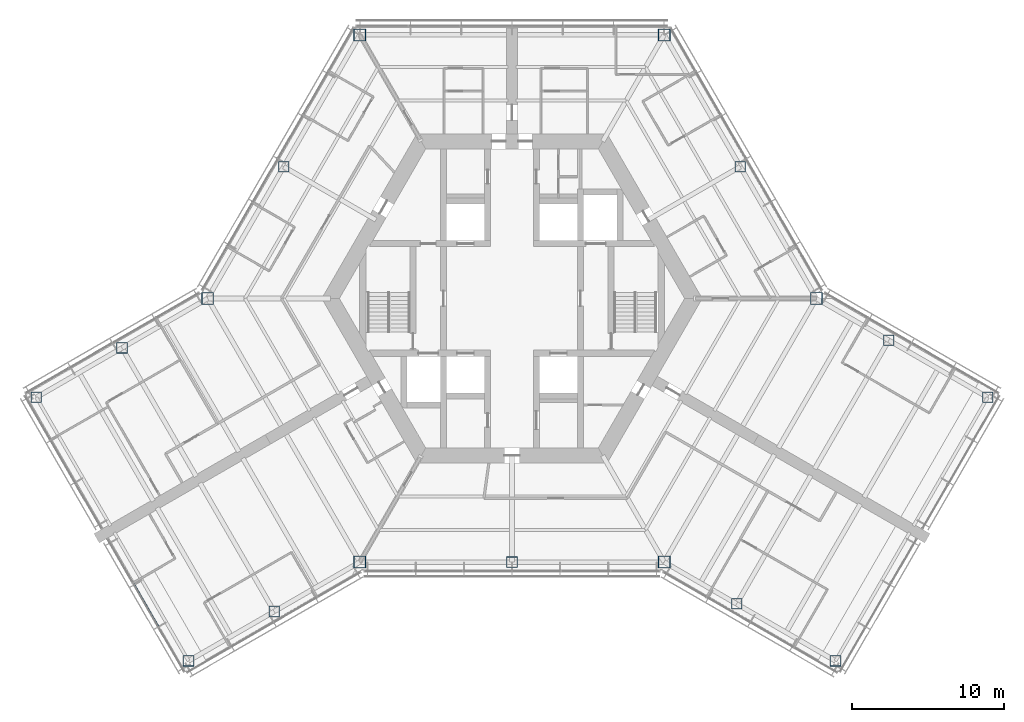
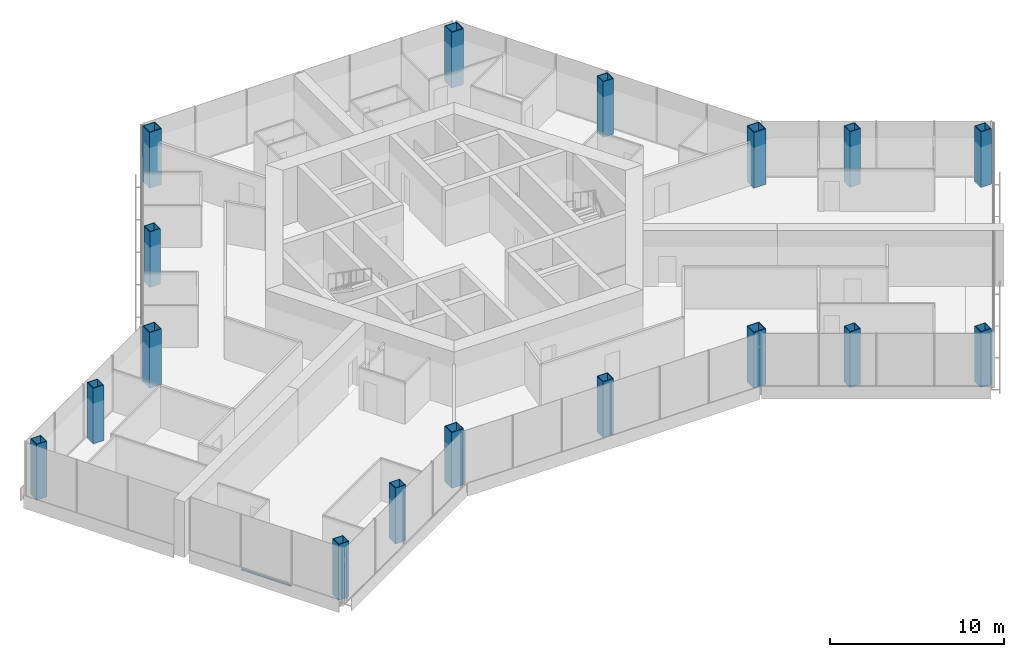
# One storey, part 1 of 18: 17 columns, 1 member, 1 element without a shape of its own.
"""IFC4 building model written with IfcOpenShell, lengths in metres."""

import ifcopenshell
import ifcopenshell.guid

model = None  # the IFC model being written
_history = None  # IfcOwnerHistory: only IFC2X3 demands one
_inside = {}  # id of a spatial element -> (the spatial element, [elements in it])
_under = {}  # id of a project, library or spatial element -> (it, [spatial elements below it])
_declared = {}  # id of a project -> (the project, [libraries it declares])
_typed = {}  # id of a type object -> (the type object, [elements of that type])
_made_of = {}  # id of a material, layer set ... -> (it, [elements and type objects made of it])


def new_model(schema):
    """Start an empty IFC model of exactly this schema.

    Asked for "IFC4X3", IfcOpenShell would pick the latest addendum, in which some entities
    have other attributes; the version numbers below select the first issue.
    IFC2X3 requires an IfcOwnerHistory on every rooted entity: one is made here for all.
    """
    global model, _history
    if schema == "IFC4X3":
        model = ifcopenshell.file(schema_version=(4, 3, 0, 0))
    else:
        model = ifcopenshell.file(schema=schema)
    _inside.clear()
    _under.clear()
    _declared.clear()
    _typed.clear()
    _made_of.clear()
    _history = None
    if model.schema == "IFC2X3":
        org = make("IfcOrganization", Name="unknown")
        user = make(
            "IfcPersonAndOrganization",
            ThePerson=make("IfcPerson", FamilyName="unknown"),
            TheOrganization=org,
        )
        app = make(
            "IfcApplication",
            ApplicationDeveloper=org,
            Version="unknown",
            ApplicationFullName="unknown",
            ApplicationIdentifier="unknown",
        )
        _history = make(
            "IfcOwnerHistory",
            OwningUser=user,
            OwningApplication=app,
            ChangeAction="ADDED",
            CreationDate=0,
        )
    return model


def make(cls, **values):
    """One entity of the class cls with the attributes given. An attribute that is None is left unset."""
    return model.create_entity(
        cls, **{name: value for name, value in values.items() if value is not None}
    )


def rooted(cls, **values):
    """An entity with a GlobalId (a new one), such as an element, a storey or a relation."""
    return make(cls, GlobalId=ifcopenshell.guid.new(), OwnerHistory=_history, **values)


def si_unit(unit_type, name, prefix=None):
    """IfcSIUnit, for example si_unit("LENGTHUNIT", "METRE", prefix="MILLI")."""
    return make("IfcSIUnit", UnitType=unit_type, Prefix=prefix, Name=name)


def assignment(units):
    """IfcUnitAssignment: the units of a project."""
    return None if units is None else make("IfcUnitAssignment", Units=units)


def point(xyz):
    """IfcCartesianPoint."""
    return None if xyz is None else make("IfcCartesianPoint", Coordinates=xyz)


def direction(xyz):
    """IfcDirection."""
    return None if xyz is None else make("IfcDirection", DirectionRatios=xyz)


def frame(location, z_axis=None, x_axis=None):
    """IfcAxis2Placement3D, a coordinate frame: its origin and axes. An axis left out is left unset."""
    return make(
        "IfcAxis2Placement3D",
        Location=point(location),
        Axis=direction(z_axis),
        RefDirection=direction(x_axis),
    )


def frame_2d(location, x_axis=None):
    """IfcAxis2Placement2D, a coordinate frame in the plane: its origin and x axis."""
    return make(
        "IfcAxis2Placement2D", Location=point(location), RefDirection=direction(x_axis)
    )


def origin():
    """The frame at (0, 0, 0) with its axes left unset."""
    return frame((0.0, 0.0, 0.0))


def origin_2d():
    """The frame at (0, 0) in the plane with its x axis left unset."""
    return frame_2d((0.0, 0.0))


def place(relative_to, where):
    """IfcLocalPlacement: puts the frame where relative to a parent placement (None: the world)."""
    return make(
        "IfcLocalPlacement", PlacementRelTo=relative_to, RelativePlacement=where
    )


def context(
    kind, dimensions, precision=None, world=None, true_north=None, identifier=None
):
    """IfcGeometricRepresentationContext, for example the 3D "Model" context."""
    return make(
        "IfcGeometricRepresentationContext",
        ContextIdentifier=identifier,
        ContextType=kind,
        CoordinateSpaceDimension=dimensions,
        Precision=precision,
        WorldCoordinateSystem=world,
        TrueNorth=true_north,
    )


def subcontext(parent, identifier, kind, view, scale=None):
    """IfcGeometricRepresentationSubContext, for example "Body" below "Model"."""
    return make(
        "IfcGeometricRepresentationSubContext",
        ContextIdentifier=identifier,
        ContextType=kind,
        ParentContext=parent,
        TargetScale=scale,
        TargetView=view,
    )


def project(units=None, contexts=None):
    """IfcProject with its units and contexts."""
    return rooted(
        "IfcProject",
        Name="project",
        RepresentationContexts=contexts,
        UnitsInContext=assignment(units),
    )


def spatial(cls, under=None, at=None, **own):
    """A site, building, storey or space (cls), placed at a placement, below another one or the project."""
    s = rooted(cls, ObjectPlacement=at, **own)
    if under is not None:
        _under.setdefault(under.id(), (under, []))[1].append(s)
    return s


def profile(cls, at=None, kind="AREA", **sizes):
    """A parametric profile (cls). Its sizes go by their IFC names, for example OverallWidth=200.0."""
    return make(cls, ProfileType=kind, Position=at, **sizes)


def rectangle(**sizes):
    """IfcRectangleProfileDef."""
    return profile("IfcRectangleProfileDef", **sizes)


def hollow_rectangle(**sizes):
    """IfcRectangleHollowProfileDef."""
    return profile("IfcRectangleHollowProfileDef", **sizes)


def extrude(swept, where, along, depth):
    """IfcExtrudedAreaSolid: the profile swept, set in the frame where, extruded along a direction by depth."""
    return make(
        "IfcExtrudedAreaSolid",
        SweptArea=swept,
        Position=where,
        ExtrudedDirection=direction(along),
        Depth=depth,
    )


def shape(context_of_items, identifier, shape_type, items):
    """IfcShapeRepresentation: the items that make up one representation, for example the "Body"."""
    return make(
        "IfcShapeRepresentation",
        ContextOfItems=context_of_items,
        RepresentationIdentifier=identifier,
        RepresentationType=shape_type,
        Items=items,
    )


def material(Name=None, Category=None):
    """IfcMaterial."""
    return make("IfcMaterial", Name=Name, Category=Category)


def material_profile(
    of_material, cross_section, Name=None, Category=None, Priority=None
):
    """IfcMaterialProfile: a cross section and its material."""
    return make(
        "IfcMaterialProfile",
        Name=Name,
        Material=of_material,
        Profile=cross_section,
        Priority=Priority,
        Category=Category,
    )


def profile_set(profiles, Name=None, composite=None):
    """IfcMaterialProfileSet."""
    return make(
        "IfcMaterialProfileSet",
        Name=Name,
        MaterialProfiles=profiles,
        CompositeProfile=composite,
    )


def made_of(thing, what):
    """Note that an element or type object is made of a material, layer set ...; save() writes the relation."""
    if what is not None:
        _made_of.setdefault(what.id(), (what, []))[1].append(thing)
    return thing


def type_object(cls, material=None, **own):
    """A type object (cls), such as IfcWallType, which elements share."""
    return made_of(rooted(cls, **own), material)


def element(
    cls,
    number,
    at=None,
    inside=None,
    cuts=None,
    type_object=None,
    material=None,
    context=None,
    identifier="Body",
    shape_type=None,
    held_by="IfcProductDefinitionShape",
    body=None,
    shapes=None,
    **own,
):
    """One element of the class cls, such as IfcWall. Its Tag is "e" and its number.

    at: its placement. inside: the storey or other place that contains it. cuts: it is an
    opening in that element (IfcRelVoidsElement). A single representation is given by context,
    identifier, shape_type and body (its items); several are given by shapes. held_by: the class
    of the entity that holds the representations. save() writes the other relations.
    """
    e = rooted(cls, Tag="e%d" % number, ObjectPlacement=at, **own)
    if body is not None:
        shapes = [shape(context, identifier, shape_type, body)]
    if shapes is not None:
        e.Representation = make(held_by, Representations=shapes)
    if inside is not None:
        _inside.setdefault(inside.id(), (inside, []))[1].append(e)
    if cuts is not None:
        rooted(
            "IfcRelVoidsElement", RelatingBuildingElement=cuts, RelatedOpeningElement=e
        )
    if type_object is not None:
        _typed.setdefault(type_object.id(), (type_object, []))[1].append(e)
    return made_of(e, material)


def aggregate(whole, parts):
    """IfcRelAggregates: a whole, such as a stair, and the parts it consists of."""
    return rooted("IfcRelAggregates", RelatingObject=whole, RelatedObjects=parts)


def save(model, path):
    """Write the relations noted so far, then the file.

    IfcRelAggregates (storeys below a building ...), IfcRelContainedInSpatialStructure (elements
    in a storey), IfcRelDefinesByType, IfcRelAssociatesMaterial and IfcRelDeclares: one each for
    every whole, place, type object, material and project.
    """
    for whole, parts in _under.values():
        aggregate(whole, parts)
    for where, things in _inside.values():
        rooted(
            "IfcRelContainedInSpatialStructure",
            RelatedElements=things,
            RelatingStructure=where,
        )
    for kind, things in _typed.values():
        rooted("IfcRelDefinesByType", RelatedObjects=things, RelatingType=kind)
    for what, things in _made_of.values():
        rooted("IfcRelAssociatesMaterial", RelatedObjects=things, RelatingMaterial=what)
    for by, libraries in _declared.values():
        rooted("IfcRelDeclares", RelatingContext=by, RelatedDefinitions=libraries)
    model.write(path)


model = new_model("IFC4")

# Units and contexts
model_context = context("Model", 3, precision=1e-05, world=origin(), true_north=direction((0.0, 1.0)))
body_context = subcontext(model_context, "Body", "Model", "MODEL_VIEW")
ifc_project = project(units=[si_unit("LENGTHUNIT", "METRE"), si_unit("AREAUNIT", "SQUARE_METRE"), si_unit("VOLUMEUNIT", "CUBIC_METRE"), si_unit("PLANEANGLEUNIT", "RADIAN"), si_unit("MASSUNIT", "GRAM", prefix="KILO")], contexts=[model_context])

# Site, building, storey
site_placement = place(None, origin())
site = spatial("IfcSite", under=ifc_project, at=site_placement, CompositionType="ELEMENT")
building_placement = place(site_placement, origin())
building = spatial("IfcBuilding", under=site, at=building_placement, Name="Kasaneha Research Tower", CompositionType="ELEMENT")
storey_placement = place(building_placement, frame((0.0, 0.0, 152.60009765625)))
storey = spatial("IfcBuildingStorey", under=building, at=storey_placement, Name="L38", CompositionType="ELEMENT", Elevation=152.60009765625)

# Columns
ifc_material_1 = material(Name="Steel SN490C", Category="steel")
ifc_material_profile_1 = material_profile(ifc_material_1, hollow_rectangle(XDim=0.800048828125, YDim=0.800048828125, WallThickness=0.044921875, at=origin_2d()), Name="BOX-800x800x45")
ifc_profile_set_1 = profile_set([ifc_material_profile_1], Name="Steel SN490C")
column_type_1 = type_object("IfcColumnType", Name="C3A column BOX-800x800x45", PredefinedType="COLUMN", material=ifc_profile_set_1)
for number, where, z_axis, x_axis, name in (
    (1, (20.0, 0.0, 0.0), (0.0, 0.0, 1.0), (1.0, 0.0, 0.0), "Column V0 L38"),
    (2, (10.0, 17.320556640625, 0.0), (0.0, 0.0, 1.0), (1.0, 0.0, 0.0), "Column V1 L38"),
    (3, (-10.0, 17.320556640625, 0.0), (0.0, 0.0, 1.0), (1.0, 0.0, 0.0), "Column V2 L38"),
    (4, (-20.0, 0.0, 0.0), (0.0, 0.0, 1.0), (1.0, 0.0, 0.0), "Column V3 L38"),
    (5, (-10.0, -17.320556640625, 0.0), (0.0, 0.0, 1.0), (1.0, 0.0, 0.0), "Column V4 L38"),
    (6, (10.0, -17.320556640625, 0.0), (0.0, 0.0, 1.0), (1.0, 0.0, 0.0), "Column V5 L38"),
):
    element("IfcColumn", number, at=place(storey_placement, frame(where, z_axis=z_axis, x_axis=x_axis)), inside=storey, type_object=column_type_1, Name=name, PredefinedType="COLUMN", context=body_context, shape_type="SweptSolid", body=[
        extrude(hollow_rectangle(XDim=0.800048828125, YDim=0.800048828125, WallThickness=0.044921875, at=origin_2d()), origin(), (0.0, 0.0, 1.0), 3.89990234375),
    ])
ifc_material_2 = material(Name="Steel SN490C", Category="steel")
ifc_material_profile_2 = material_profile(ifc_material_2, hollow_rectangle(XDim=0.699951171875, YDim=0.699951171875, WallThickness=0.035888671875, at=origin_2d()), Name="BOX-700x700x36")
ifc_profile_set_2 = profile_set([ifc_material_profile_2], Name="Steel SN490C")
column_type_2 = type_object("IfcColumnType", Name="C3B column BOX-700x700x36", PredefinedType="COLUMN", material=ifc_profile_set_2)
for number, where, z_axis, x_axis, name in (
    (7, (15.0, 8.66015625, 0.0), (0.0, 0.0, 1.0), (1.0, 0.0, 0.0), "Column M030 L38"),
    (8, (-15.0, 8.66015625, 0.0), (0.0, 0.0, 1.0), (1.0, 0.0, 0.0), "Column M150 L38"),
    (9, (0.0, -17.320556640625, 0.0), (0.0, 0.0, 1.0), (1.0, 0.0, 0.0), "Column M270 L38"),
    (10, (-25.629150390625, -3.25, 0.0), (0.0, 0.0, 1.0), (1.0, 0.0, 0.0), "Column BSP L38"),
    (11, (-31.25830078125, -6.5, 0.0), (0.0, 0.0, 1.0), (1.0, 0.0, 0.0), "Column BTP L38"),
    (12, (-15.629150390625, -20.570556640625, 0.0), (0.0, 0.0, 1.0), (1.0, 0.0, 0.0), "Column BSN L38"),
    (13, (-21.25830078125, -23.820556640625, 0.0), (0.0, 0.0, 1.0), (1.0, 0.0, 0.0), "Column BTN L38"),
    (14, (14.76318359375, -20.070556640625, 0.0), (0.0, 0.0, 1.0), (1.0, 0.0, 0.0), "Column CSP L38"),
    (15, (21.25830078125, -23.820556640625, 0.0), (0.0, 0.0, 1.0), (1.0, 0.0, 0.0), "Column CTP L38"),
    (16, (24.76318359375, -2.75, 0.0), (0.0, 0.0, 1.0), (1.0, 0.0, 0.0), "Column CSN L38"),
    (17, (31.25830078125, -6.5, 0.0), (0.0, 0.0, 1.0), (1.0, 0.0, 0.0), "Column CTN L38"),
):
    element("IfcColumn", number, at=place(storey_placement, frame(where, z_axis=z_axis, x_axis=x_axis)), inside=storey, type_object=column_type_2, Name=name, PredefinedType="COLUMN", context=body_context, shape_type="SweptSolid", body=[
        extrude(hollow_rectangle(XDim=0.699951171875, YDim=0.699951171875, WallThickness=0.035888671875, at=origin_2d()), origin(), (0.0, 0.0, 1.0), 3.89990234375),
    ])

# Curtain wall, member
ifc_material_3 = material(Name="Glass and aluminium", Category="aluminium")
curtain_wall_type = type_object("IfcCurtainWallType", Name="Mid-rise office curtain wall", PredefinedType="USERDEFINED", material=ifc_material_3)
curtain_wall_placement = place(storey_placement, origin())
curtain_wall = element("IfcCurtainWall", 18, at=curtain_wall_placement, inside=storey, type_object=curtain_wall_type, Name="CW-O2 L38 run 11a", ObjectType="UNITISED CURTAIN WALL", PredefinedType="USERDEFINED")
ifc_material_4 = material(Name="Aluminium 6063-T6", Category="aluminium")
ifc_material_profile_3 = material_profile(ifc_material_4, rectangle(XDim=0.110107421875, YDim=0.06005859375, at=origin_2d()), Name="CW-O2 transom 110x60")
ifc_profile_set_3 = profile_set([ifc_material_profile_3], Name="Aluminium 6063-T6")
member_type = type_object("IfcMemberType", Name="CW-O2 transom", PredefinedType="USERDEFINED", material=ifc_profile_set_3)
member_placement = place(storey_placement, frame((-24.896240234375, -18.719482421875, 0.02978515625), z_axis=(0.500010745865, -0.866019199568, 0.0), x_axis=(0.866019199568, 0.500010745865, 0.0)))
member = element("IfcMember", 19, at=member_placement, type_object=member_type, Name="CW-O2 transom 2", ObjectType="TRANSOM", PredefinedType="USERDEFINED", context=body_context, shape_type="SweptSolid", body=[
    extrude(rectangle(XDim=0.110107421875, YDim=0.06005859375, at=origin_2d()), origin(), (0.0, 0.0, 1.0), 3.3232421875),
])
aggregate(curtain_wall, [member])

save(model, "model.ifc")
